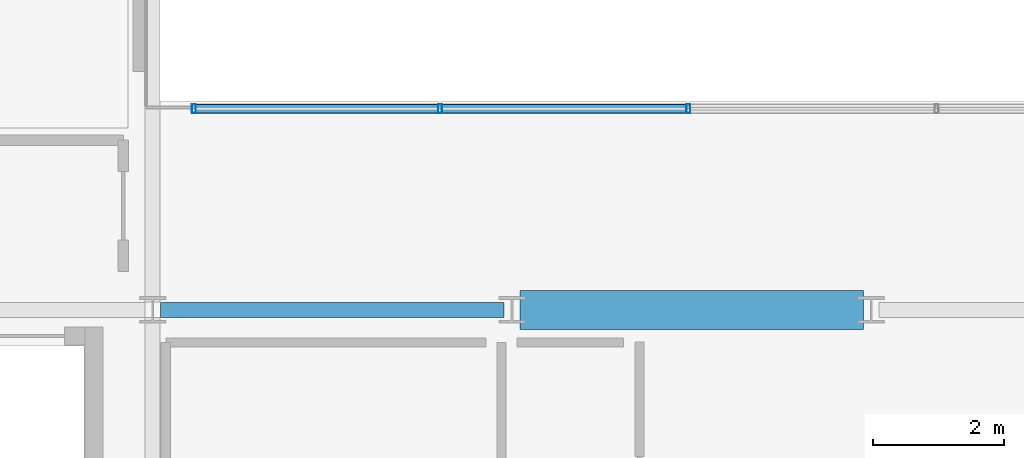
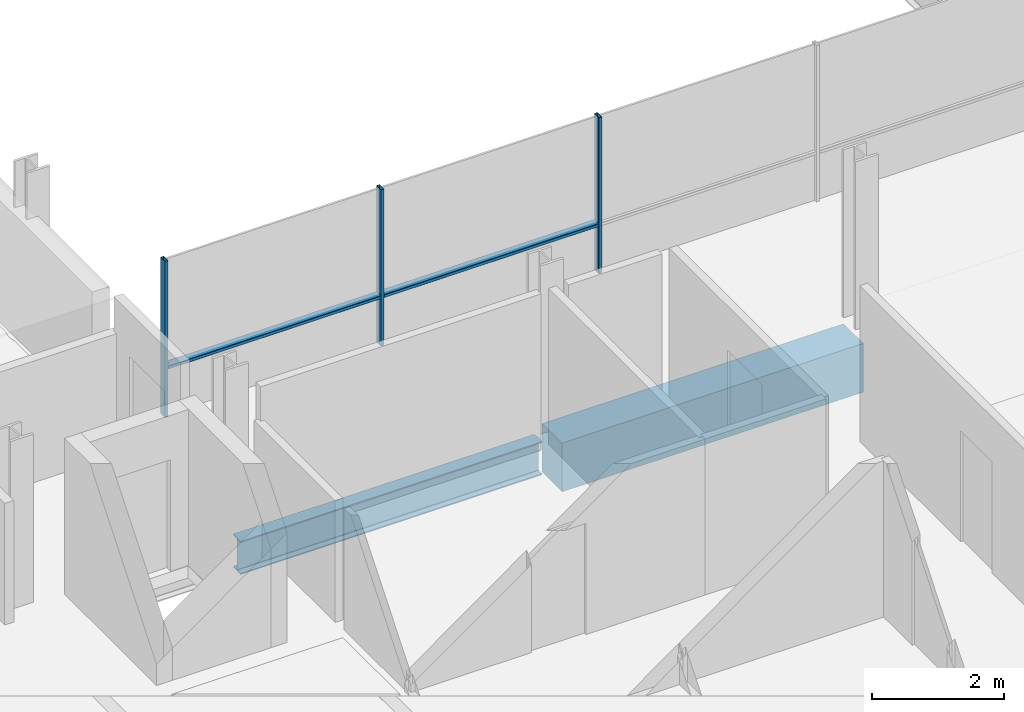
# One storey, part 6 of 40: 5 members, 2 beams, 1 element without a shape of its own.
"""IFC4 building model written with IfcOpenShell, lengths in metres."""

from ifc_helpers import new_model, si_unit, direction, frame, origin, origin_2d, place, context, subcontext, project, spatial, rectangle, hollow_rectangle, i_section, extrude, material, layer, layer_set, material_profile, profile_set, type_object, element, aggregate, save


model = new_model("IFC4")

# Units and contexts
model_context = context("Model", 3, precision=1e-05, world=origin(), true_north=direction((0.0, 1.0)))
body_context = subcontext(model_context, "Body", "Model", "MODEL_VIEW")
ifc_project = project(units=[si_unit("LENGTHUNIT", "METRE"), si_unit("AREAUNIT", "SQUARE_METRE"), si_unit("VOLUMEUNIT", "CUBIC_METRE"), si_unit("PLANEANGLEUNIT", "RADIAN"), si_unit("MASSUNIT", "GRAM", prefix="KILO")], contexts=[model_context])

# Site, building, storey
site_placement = place(None, origin())
site = spatial("IfcSite", under=ifc_project, at=site_placement, CompositionType="ELEMENT")
building_placement = place(site_placement, origin())
building = spatial("IfcBuilding", under=site, at=building_placement, Name="Brevholm Reach", CompositionType="ELEMENT")
storey_placement = place(building_placement, frame((0.0, 0.0, 148.0)))
storey = spatial("IfcBuildingStorey", under=building, at=storey_placement, Name="L44", CompositionType="ELEMENT", Elevation=148.0)

# Beams
ifc_material_1 = material(Name="Concrete C50/60", Category="concrete")
ifc_material_profile_1 = material_profile(ifc_material_1, rectangle(XDim=0.60009765625, YDim=0.89990234375, at=origin_2d()), Name="RC 600x900")
ifc_profile_set_1 = profile_set([ifc_material_profile_1], Name="Concrete C50/60")
beam_type_1 = type_object("IfcBeamType", Name="BM-CB600", PredefinedType="LINTEL", material=ifc_profile_set_1)
beam_1_placement = place(storey_placement, frame((27.3701171875, 10.0, -0.669921875), z_axis=(1.0, 0.0, 0.0), x_axis=(0.0, 1.0, 0.0)))
element("IfcBeam", 1, at=beam_1_placement, inside=storey, type_object=beam_type_1, Name="L44 CB-02 Framing Beam", PredefinedType="LINTEL", context=body_context, shape_type="SweptSolid", body=[
    extrude(rectangle(XDim=0.60009765625, YDim=0.89990234375, at=origin_2d()), origin(), (0.0, 0.0, 1.0), 5.259765625),
])
ifc_material_2 = material(Name="Structural Steel S355J2", Category="steel")
ifc_material_profile_2 = material_profile(ifc_material_2, i_section(OverallWidth=0.22900390625, OverallDepth=0.6123046875, WebThickness=0.011962890625, FlangeThickness=0.01953125, FilletRadius=0.0126953125, at=origin_2d()), Name="UKB 610x229x125")
ifc_profile_set_2 = profile_set([ifc_material_profile_2], Name="Structural Steel S355J2")
beam_type_2 = type_object("IfcBeamType", Name="BM-SP610", PredefinedType="SPANDREL", material=ifc_profile_set_2)
beam_2_placement = place(storey_placement, frame((21.8701171875, 10.0, -0.526123046875), z_axis=(1.0, 0.0, 0.0), x_axis=(0.0, 1.0, 0.0)))
element("IfcBeam", 2, at=beam_2_placement, inside=storey, type_object=beam_type_2, Name="L44 SP-01 Framing Beam", PredefinedType="SPANDREL", context=body_context, shape_type="SweptSolid", body=[
    extrude(i_section(OverallWidth=0.22900390625, OverallDepth=0.6123046875, WebThickness=0.011962890625, FlangeThickness=0.01953125, FilletRadius=0.0126953125, at=origin_2d()), origin(), (0.0, 0.0, 1.0), 5.259765625),
])

# Curtain wall, members
ifc_material_3 = material(Name="Dark Anodised Aluminium 6063-T6 and Solar-Control Glass", Category="aluminium")
ifc_layer = layer(ifc_material_3, 0.139892578125)
ifc_layer_set = layer_set([ifc_layer], Name="Dark Anodised Aluminium 6063-T6 and Solar-Control Glass")
curtain_wall_type = type_object("IfcCurtainWallType", Name="CW-02", PredefinedType="NOTDEFINED", material=ifc_layer_set)
curtain_wall_placement = place(storey_placement, origin())
curtain_wall = element("IfcCurtainWall", 3, at=curtain_wall_placement, inside=storey, type_object=curtain_wall_type, Name="L44 Curtain Wall CW-02", PredefinedType="NOTDEFINED")
ifc_material_4 = material(Name="Dark Anodised Aluminium 6063-T6", Category="aluminium")
ifc_material_profile_3 = material_profile(ifc_material_4, hollow_rectangle(XDim=0.06005859375, YDim=0.139892578125, WallThickness=0.0048828125, InnerFilletRadius=0.0048828125, OuterFilletRadius=0.010009765625, at=origin_2d()), Name="RHS 140x60x5")
ifc_profile_set_3 = profile_set([ifc_material_profile_3], Name="Dark Anodised Aluminium 6063-T6")
member_type_1 = type_object("IfcMemberType", Name="CWM-140", PredefinedType="MULLION", material=ifc_profile_set_3)
member_1_placement = place(storey_placement, frame((22.3798828125, 13.080078125, 0.0), z_axis=(0.0, 0.0, 1.0), x_axis=(1.0, 0.0, 0.0)))
member_1 = element("IfcMember", 4, at=member_1_placement, type_object=member_type_1, Name="CM-140 Mullion 1", PredefinedType="MULLION", context=body_context, shape_type="SweptSolid", body=[
    extrude(hollow_rectangle(XDim=0.06005859375, YDim=0.139892578125, WallThickness=0.0048828125, InnerFilletRadius=0.0048828125, OuterFilletRadius=0.010009765625, at=origin_2d()), origin(), (0.0, 0.0, 1.0), 2.8798828125),
])
member_2_placement = place(storey_placement, frame((26.14990234375, 13.080078125, 0.0), z_axis=(0.0, 0.0, 1.0), x_axis=(1.0, 0.0, 0.0)))
member_2 = element("IfcMember", 5, at=member_2_placement, type_object=member_type_1, Name="CM-140 Mullion 2", PredefinedType="MULLION", context=body_context, shape_type="SweptSolid", body=[
    extrude(hollow_rectangle(XDim=0.06005859375, YDim=0.139892578125, WallThickness=0.0048828125, InnerFilletRadius=0.0048828125, OuterFilletRadius=0.010009765625, at=origin_2d()), origin(), (0.0, 0.0, 1.0), 2.8798828125),
])
member_3_placement = place(storey_placement, frame((29.949951171875, 13.080078125, 0.0), z_axis=(0.0, 0.0, 1.0), x_axis=(1.0, 0.0, 0.0)))
member_3 = element("IfcMember", 6, at=member_3_placement, type_object=member_type_1, Name="CM-140 Mullion 3", PredefinedType="MULLION", context=body_context, shape_type="SweptSolid", body=[
    extrude(hollow_rectangle(XDim=0.06005859375, YDim=0.139892578125, WallThickness=0.0048828125, InnerFilletRadius=0.0048828125, OuterFilletRadius=0.010009765625, at=origin_2d()), origin(), (0.0, 0.0, 1.0), 2.8798828125),
])
ifc_material_5 = material(Name="Dark Anodised Aluminium 6063-T6", Category="aluminium")
ifc_material_profile_4 = material_profile(ifc_material_5, hollow_rectangle(XDim=0.06005859375, YDim=0.139892578125, WallThickness=0.0048828125, InnerFilletRadius=0.0048828125, OuterFilletRadius=0.010009765625, at=origin_2d()), Name="RHS 140x60x5")
ifc_profile_set_4 = profile_set([ifc_material_profile_4], Name="Dark Anodised Aluminium 6063-T6")
member_type_2 = type_object("IfcMemberType", Name="CWT-140", PredefinedType="NOTDEFINED", material=ifc_profile_set_4)
member_4_placement = place(storey_placement, frame((22.409912109375, 13.080078125, 0.89990234375), z_axis=(1.0, 0.0, 0.0), x_axis=(0.0, 0.0, 1.0)))
member_4 = element("IfcMember", 7, at=member_4_placement, type_object=member_type_2, Name="CT-140 Transom 1.1", ObjectType="TRANSOM", PredefinedType="USERDEFINED", context=body_context, shape_type="SweptSolid", body=[
    extrude(hollow_rectangle(XDim=0.06005859375, YDim=0.139892578125, WallThickness=0.0048828125, InnerFilletRadius=0.0048828125, OuterFilletRadius=0.010009765625, at=origin_2d()), origin(), (0.0, 0.0, 1.0), 3.710205078125),
])
member_5_placement = place(storey_placement, frame((26.179931640625, 13.080078125, 0.89990234375), z_axis=(1.0, 0.0, 0.0), x_axis=(0.0, 0.0, 1.0)))
member_5 = element("IfcMember", 8, at=member_5_placement, type_object=member_type_2, Name="CT-140 Transom 2.1", ObjectType="TRANSOM", PredefinedType="USERDEFINED", context=body_context, shape_type="SweptSolid", body=[
    extrude(hollow_rectangle(XDim=0.06005859375, YDim=0.139892578125, WallThickness=0.0048828125, InnerFilletRadius=0.0048828125, OuterFilletRadius=0.010009765625, at=origin_2d()), origin(), (0.0, 0.0, 1.0), 3.739990234375),
])
aggregate(curtain_wall, [member_1, member_2, member_3, member_4, member_5])

save(model, "model.ifc")
